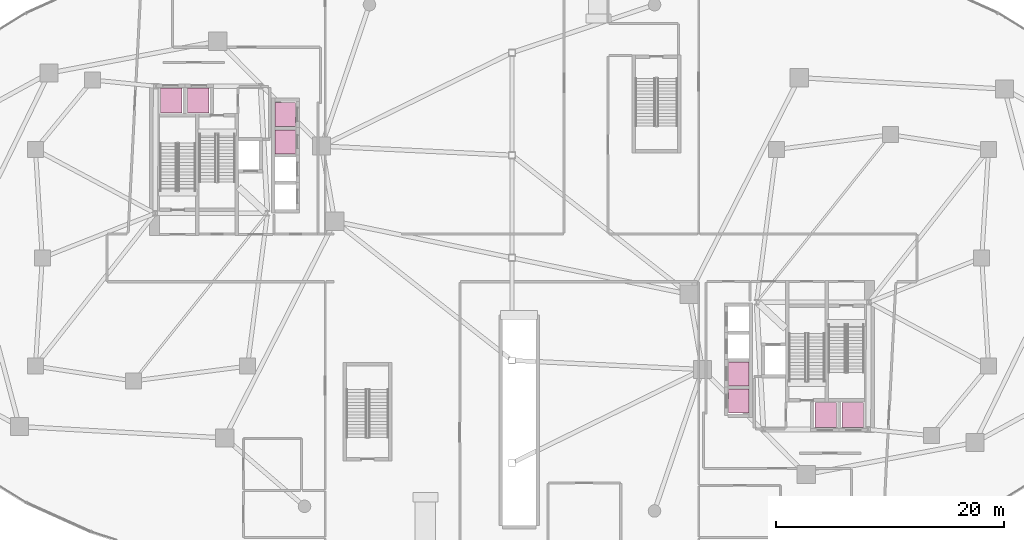
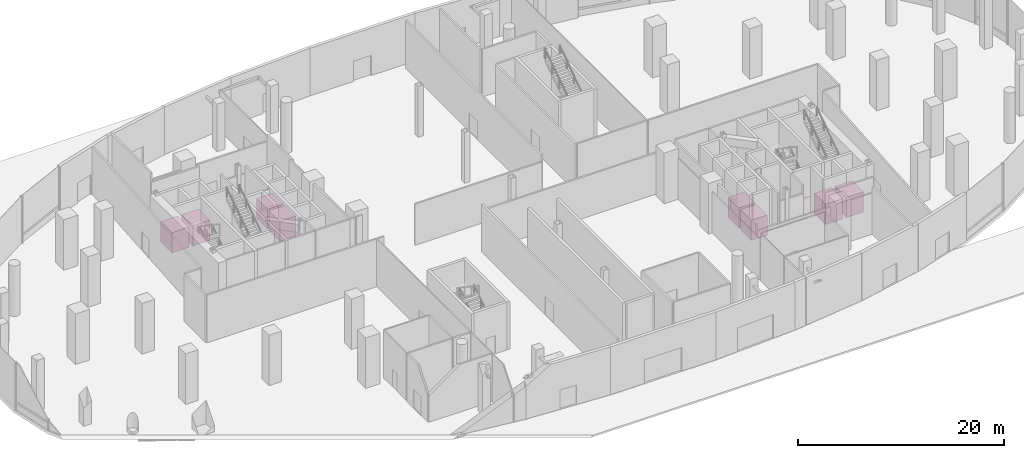
# One storey, part 20 of 20: 8 transport elements.
"""IFC4 building model written with IfcOpenShell, lengths in metres."""

from ifc_helpers import new_model, si_unit, direction, frame, origin, origin_2d, place, context, subcontext, project, spatial, rectangle, extrude, material, type_object, element, save


model = new_model("IFC4")

# Units and contexts
model_context = context("Model", 3, precision=1e-05, world=origin(), true_north=direction((0.0, 1.0)))
body_context = subcontext(model_context, "Body", "Model", "MODEL_VIEW")
ifc_project = project(units=[si_unit("LENGTHUNIT", "METRE"), si_unit("AREAUNIT", "SQUARE_METRE"), si_unit("VOLUMEUNIT", "CUBIC_METRE"), si_unit("PLANEANGLEUNIT", "RADIAN"), si_unit("MASSUNIT", "GRAM", prefix="KILO"), si_unit("THERMODYNAMICTEMPERATUREUNIT", "KELVIN"), si_unit("POWERUNIT", "WATT")], contexts=[model_context])

# Site, building, storey
site_placement = place(None, origin())
site = spatial("IfcSite", under=ifc_project, at=site_placement, CompositionType="ELEMENT")
building_placement = place(site_placement, origin())
building = spatial("IfcBuilding", under=site, at=building_placement, Name="Cundina Bronze Exchange", CompositionType="ELEMENT")
storey_placement = place(building_placement, origin())
storey = spatial("IfcBuildingStorey", under=building, at=storey_placement, Name="L00", CompositionType="ELEMENT", Elevation=0.0)

# Transport elements
ifc_material = material(Name="Steel ASTM A36 Painted", Category="steel")
transport_element_type_1 = type_object("IfcTransportElementType", Name="LFT-HGH-1800", PredefinedType="ELEVATOR", material=ifc_material)
for number, where, z_axis, x_axis, name in (
    (1, (-29.875, 13.800048828125, 0.0), (0.0, 0.0, 1.0), (1.0, 0.0, 0.0), "Elevator Car PH-W1"),
    (2, (-27.52490234375, 13.800048828125, 0.0), (0.0, 0.0, 1.0), (1.0, 0.0, 0.0), "Elevator Car PH-W2"),
    (3, (29.875, -13.800048828125, 0.0), (0.0, 0.0, 1.0), (1.0, 0.0, 0.0), "Elevator Car PH-E1"),
    (4, (27.52490234375, -13.800048828125, 0.0), (0.0, 0.0, 1.0), (1.0, 0.0, 0.0), "Elevator Car PH-E2"),
):
    element("IfcTransportElement", number, at=place(storey_placement, frame(where, z_axis=z_axis, x_axis=x_axis)), inside=storey, type_object=transport_element_type_1, Name=name, PredefinedType="ELEVATOR", context=body_context, shape_type="SweptSolid", body=[
        extrude(rectangle(XDim=1.89990234375, YDim=2.199951171875, at=origin_2d()), origin(), (0.0, 0.0, 1.0), 2.39990234375),
    ])
transport_element_type_2 = type_object("IfcTransportElementType", Name="LFT-MID-1600", PredefinedType="ELEVATOR", material=ifc_material)
for number, where, z_axis, x_axis, name in (
    (5, (-19.875, 12.574951171875, 0.0), (0.0, 0.0, 1.0), (1.0, 0.0, 0.0), "Elevator Car PM-W1"),
    (6, (-19.875, 10.175048828125, 0.0), (0.0, 0.0, 1.0), (1.0, 0.0, 0.0), "Elevator Car PM-W2"),
    (7, (19.875, -12.574951171875, 0.0), (0.0, 0.0, 1.0), (1.0, 0.0, 0.0), "Elevator Car PM-E1"),
    (8, (19.875, -10.175048828125, 0.0), (0.0, 0.0, 1.0), (1.0, 0.0, 0.0), "Elevator Car PM-E2"),
):
    element("IfcTransportElement", number, at=place(storey_placement, frame(where, z_axis=z_axis, x_axis=x_axis)), inside=storey, type_object=transport_element_type_2, Name=name, PredefinedType="ELEVATOR", context=body_context, shape_type="SweptSolid", body=[
        extrude(rectangle(XDim=1.800048828125, YDim=2.10009765625, at=origin_2d()), origin(), (0.0, 0.0, 1.0), 2.39990234375),
    ])

save(model, "model.ifc")
